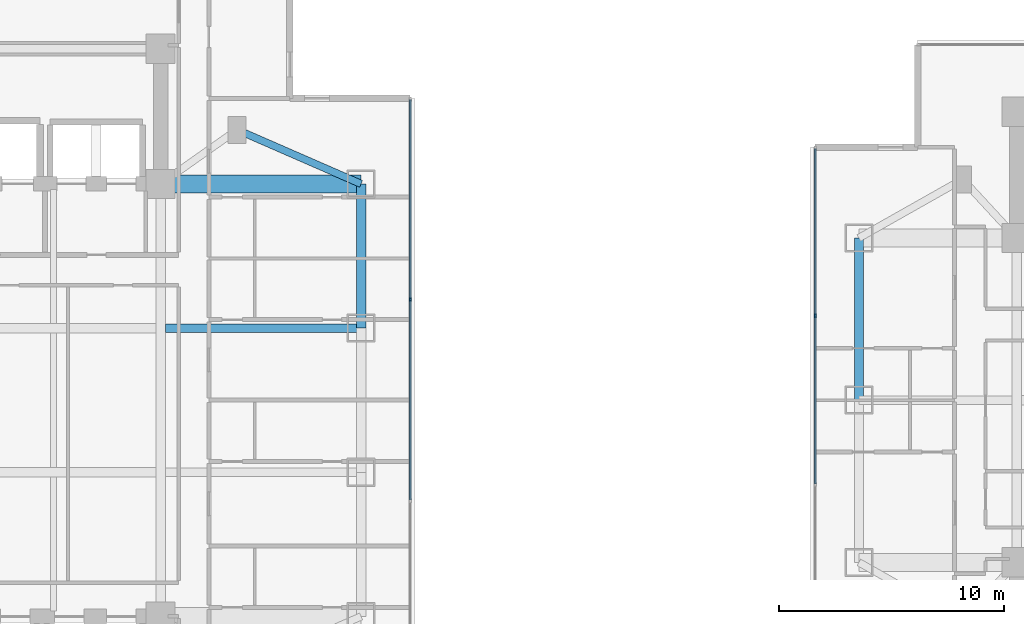
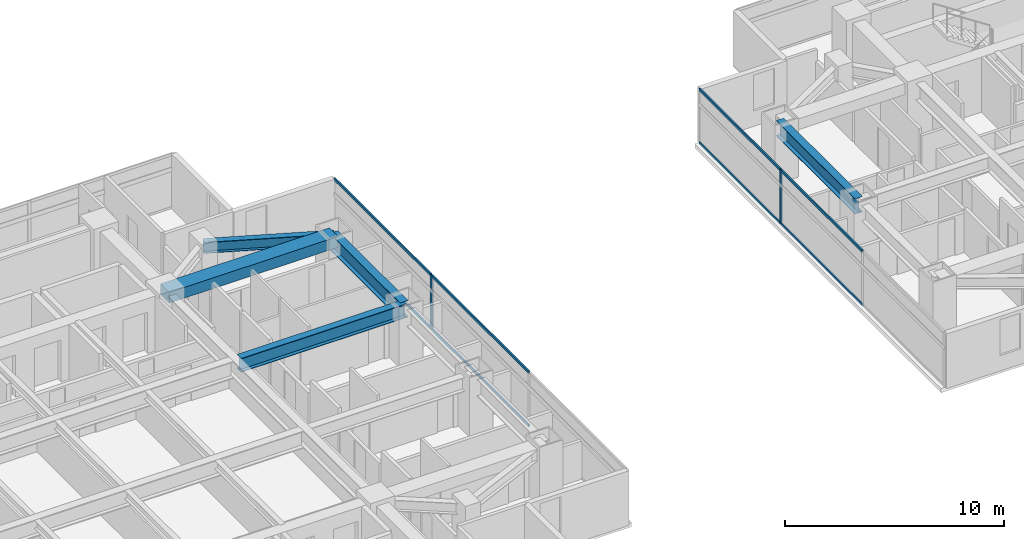
# One storey, part 6 of 27: 10 members, 5 beams, 2 elements without a shape of their own.
"""IFC4 building model written with IfcOpenShell, lengths in metres."""

from ifc_helpers import new_model, si_unit, direction, frame, origin, origin_2d, place, context, subcontext, project, spatial, rectangle, i_section, extrude, material, material_profile, profile_set, type_object, element, aggregate, save


model = new_model("IFC4")

# Units and contexts
model_context = context("Model", 3, precision=1e-05, world=origin(), true_north=direction((0.0, 1.0)))
body_context = subcontext(model_context, "Body", "Model", "MODEL_VIEW")
ifc_project = project(units=[si_unit("LENGTHUNIT", "METRE"), si_unit("AREAUNIT", "SQUARE_METRE"), si_unit("VOLUMEUNIT", "CUBIC_METRE"), si_unit("PLANEANGLEUNIT", "RADIAN"), si_unit("MASSUNIT", "GRAM", prefix="KILO")], contexts=[model_context])

# Site, building, storey
site_placement = place(None, origin())
site = spatial("IfcSite", under=ifc_project, at=site_placement, CompositionType="ELEMENT")
building_placement = place(site_placement, origin())
building = spatial("IfcBuilding", under=site, at=building_placement, Name="Mirazonda Arch Towers", CompositionType="ELEMENT")
storey_placement = place(building_placement, frame((0.0, 0.0, 52.10009765625)))
storey = spatial("IfcBuildingStorey", under=building, at=storey_placement, Name="L14", CompositionType="ELEMENT", Elevation=52.10009765625)

# Beams
ifc_material_1 = material(Name="Steel ASTM A992 Grade 50", Category="steel")
ifc_material_profile_1 = material_profile(ifc_material_1, i_section(OverallWidth=0.39990234375, OverallDepth=0.85595703125, WebThickness=0.018310546875, FlangeThickness=0.029296875, at=origin_2d()), Name="W33X201")
ifc_profile_set_1 = profile_set([ifc_material_profile_1], Name="Steel ASTM A992 Grade 50")
beam_type_1 = type_object("IfcBeamType", Name="BM-EXT-W33X201", PredefinedType="USERDEFINED", material=ifc_profile_set_1)
beam_1_placement = place(storey_placement, frame((61.0, 28.0, 2.6318359375), z_axis=(0.0, 1.0, 0.0), x_axis=(-1.0, 0.0, 0.0)))
element("IfcBeam", 1, at=beam_1_placement, inside=storey, type_object=beam_type_1, Name="L14 Floor Beam BM-T2-L14-NS-W-28", ObjectType="GIRDER", PredefinedType="USERDEFINED", context=body_context, shape_type="SweptSolid", body=[
    extrude(i_section(OverallWidth=0.39990234375, OverallDepth=0.85595703125, WebThickness=0.018310546875, FlangeThickness=0.029296875, at=origin_2d()), origin(), (0.0, 0.0, 1.0), 7.199951171875),
])
ifc_material_profile_2 = material_profile(ifc_material_1, i_section(OverallWidth=0.41796875, OverallDepth=0.927001953125, WebThickness=0.019287109375, FlangeThickness=0.031982421875, at=origin_2d()), Name="W36X231")
ifc_profile_set_2 = profile_set([ifc_material_profile_2], Name="Steel ASTM A992 Grade 50")
beam_type_2 = type_object("IfcBeamType", Name="BM-EXT-W36X231", PredefinedType="USERDEFINED", material=ifc_profile_set_2)
beam_2_placement = place(storey_placement, frame((38.89990234375, 31.199951171875, 2.596435546875), z_axis=(0.0, 1.0, 0.0), x_axis=(-1.0, 0.0, 0.0)))
element("IfcBeam", 2, at=beam_2_placement, inside=storey, type_object=beam_type_2, Name="L14 Floor Beam BM-T1-L14-NS-E-31", ObjectType="GIRDER", PredefinedType="USERDEFINED", context=body_context, shape_type="SweptSolid", body=[
    extrude(i_section(OverallWidth=0.41796875, OverallDepth=0.927001953125, WebThickness=0.019287109375, FlangeThickness=0.031982421875, at=origin_2d()), origin(), (0.0, 0.0, 1.0), 6.400146484375),
])
ifc_material_profile_3 = material_profile(ifc_material_1, i_section(OverallWidth=0.324951171875, OverallDepth=0.615966796875, WebThickness=0.013916015625, FlangeThickness=0.021484375, at=origin_2d()), Name="W24X117")
ifc_profile_set_3 = profile_set([ifc_material_profile_3], Name="Steel ASTM A992 Grade 50")
beam_type_3 = type_object("IfcBeamType", Name="BM-INT-W24X117", PredefinedType="BEAM", material=ifc_profile_set_3)
beam_3_placement = place(storey_placement, frame((33.39990234375, 40.0, 2.751953125), z_axis=(0.916545343703, -0.399930785183, 0.0), x_axis=(0.399930785183, 0.916545343703, 0.0)))
element("IfcBeam", 3, at=beam_3_placement, inside=storey, type_object=beam_type_3, Name="L14 Floor Beam BM-T1-L14-PL-NE2", PredefinedType="BEAM", context=body_context, shape_type="SweptSolid", body=[
    extrude(i_section(OverallWidth=0.324951171875, OverallDepth=0.615966796875, WebThickness=0.013916015625, FlangeThickness=0.021484375, at=origin_2d()), origin(), (0.0, 0.0, 1.0), 6.000732421875),
])
ifc_material_profile_4 = material_profile(ifc_material_1, i_section(OverallWidth=0.381103515625, OverallDepth=0.77294921875, WebThickness=0.0166015625, FlangeThickness=0.027099609375, at=origin_2d()), Name="W30X173")
ifc_profile_set_4 = profile_set([ifc_material_profile_4], Name="Steel ASTM A992 Grade 50")
beam_type_4 = type_object("IfcBeamType", Name="BM-INT-W30X173", PredefinedType="USERDEFINED", material=ifc_profile_set_4)
beam_4_placement = place(storey_placement, frame((30.21142578125, 31.199951171875, 2.67333984375), z_axis=(1.0, 0.0, 0.0), x_axis=(0.0, 1.0, 0.0)))
element("IfcBeam", 4, at=beam_4_placement, inside=storey, type_object=beam_type_4, Name="L14 Floor Beam BM-T1-L14-GE3", ObjectType="GIRDER", PredefinedType="USERDEFINED", context=body_context, shape_type="SweptSolid", body=[
    extrude(i_section(OverallWidth=0.381103515625, OverallDepth=0.77294921875, WebThickness=0.0166015625, FlangeThickness=0.027099609375, at=origin_2d()), origin(), (0.0, 0.0, 1.0), 8.6884765625),
])
ifc_material_2 = material(Name="Concrete C60/75", Category="concrete")
ifc_material_profile_5 = material_profile(ifc_material_2, rectangle(XDim=0.800048828125, YDim=0.60009765625, at=origin_2d()), Name="RCCB800x600")
ifc_profile_set_5 = profile_set([ifc_material_profile_5], Name="Concrete C60/75")
beam_type_5 = type_object("IfcBeamType", Name="CB-INT-RCCB800x600", PredefinedType="SPANDREL", material=ifc_profile_set_5)
beam_5_placement = place(storey_placement, frame((30.0, 37.60009765625, 2.760009765625), z_axis=(1.0, 0.0, 0.0), x_axis=(0.0, 1.0, 0.0)))
element("IfcBeam", 5, at=beam_5_placement, inside=storey, type_object=beam_type_5, Name="L14 Floor Beam CBC-T1-L14-NE", PredefinedType="SPANDREL", context=body_context, shape_type="SweptSolid", body=[
    extrude(rectangle(XDim=0.800048828125, YDim=0.60009765625, at=origin_2d()), origin(), (0.0, 0.0, 1.0), 8.89990234375),
])

# Curtain wall, member
ifc_material_3 = material(Name="Anodised Aluminium and Low-E Glass", Category="aluminium")
curtain_wall_type = type_object("IfcCurtainWallType", Name="CW-HTL-UNIT", PredefinedType="NOTDEFINED", material=ifc_material_3)
curtain_wall_1_placement = place(storey_placement, origin())
curtain_wall_1 = element("IfcCurtainWall", 6, at=curtain_wall_1_placement, inside=storey, type_object=curtain_wall_type, Name="L14 T1 E Facade CW-L14-T1-E", PredefinedType="NOTDEFINED")
ifc_material_4 = material(Name="Anodised Aluminium Alloy", Category="aluminium")
ifc_material_profile_6 = material_profile(ifc_material_4, rectangle(XDim=0.074951171875, YDim=0.1650390625, at=origin_2d()), Name="ALU-MULL-75x165")
ifc_profile_set_6 = profile_set([ifc_material_profile_6], Name="Anodised Aluminium Alloy")
member_type_1 = type_object("IfcMemberType", Name="MULL-CW-HTL-UNIT", PredefinedType="MULLION", material=ifc_profile_set_6)
member_1_placement = place(storey_placement, frame((41.080078125, 32.466552734375, 0.0), z_axis=(0.0, 0.0, 1.0), x_axis=(-1.0, 0.0, 0.0)))
member_1 = element("IfcMember", 7, at=member_1_placement, type_object=member_type_1, Name="CW-112 mullion 3", PredefinedType="MULLION", context=body_context, shape_type="SweptSolid", body=[
    extrude(rectangle(XDim=0.074951171875, YDim=0.1650390625, at=origin_2d()), origin(), (0.0, 0.0, 1.0), 3.039794921875),
])

curtain_wall_2_placement = place(storey_placement, origin())
curtain_wall_2 = element("IfcCurtainWall", 8, at=curtain_wall_2_placement, inside=storey, type_object=curtain_wall_type, Name="L14 T2 W Facade CW-L14-T2-W", PredefinedType="NOTDEFINED")
member_2_placement = place(storey_placement, frame((59.06005859375, 31.743408203125, 0.0), z_axis=(0.0, 0.0, 1.0), x_axis=(1.0, 0.0, 0.0)))
member_2 = element("IfcMember", 9, at=member_2_placement, type_object=member_type_1, Name="CW-112 mullion 2", PredefinedType="MULLION", context=body_context, shape_type="SweptSolid", body=[
    extrude(rectangle(XDim=0.074951171875, YDim=0.1650390625, at=origin_2d()), origin(), (0.0, 0.0, 1.0), 3.039794921875),
])

# Member
ifc_material_profile_7 = material_profile(ifc_material_4, rectangle(XDim=0.074951171875, YDim=0.14501953125, at=origin_2d()), Name="ALU-TRAN-75x145")
ifc_profile_set_7 = profile_set([ifc_material_profile_7], Name="Anodised Aluminium Alloy")
member_type_2 = type_object("IfcMemberType", Name="TRAN-CW-HTL-UNIT", PredefinedType="USERDEFINED", material=ifc_profile_set_7)
member_3_placement = place(storey_placement, frame((41.080078125, 23.57080078125, 0.037353515625), z_axis=(0.0, 1.0, 0.0), x_axis=(-1.0, 0.0, 0.0)))
member_3 = element("IfcMember", 10, at=member_3_placement, type_object=member_type_2, Name="CW-112 transom 2.1", ObjectType="TRANSOM", PredefinedType="USERDEFINED", context=body_context, shape_type="SweptSolid", body=[
    extrude(rectangle(XDim=0.074951171875, YDim=0.14501953125, at=origin_2d()), origin(), (0.0, 0.0, 1.0), 8.8583984375),
])

member_4_placement = place(storey_placement, frame((41.080078125, 23.57080078125, 3.00244140625), z_axis=(0.0, 1.0, 0.0), x_axis=(-1.0, 0.0, 0.0)))
member_4 = element("IfcMember", 11, at=member_4_placement, type_object=member_type_2, Name="CW-112 transom 2.2", ObjectType="TRANSOM", PredefinedType="USERDEFINED", context=body_context, shape_type="SweptSolid", body=[
    extrude(rectangle(XDim=0.074951171875, YDim=0.14501953125, at=origin_2d()), origin(), (0.0, 0.0, 1.0), 8.8583984375),
])

member_5_placement = place(storey_placement, frame((41.080078125, 32.504150390625, 0.037353515625), z_axis=(0.0, 1.0, 0.0), x_axis=(-1.0, 0.0, 0.0)))
member_5 = element("IfcMember", 12, at=member_5_placement, type_object=member_type_2, Name="CW-112 transom 3.1", ObjectType="TRANSOM", PredefinedType="USERDEFINED", context=body_context, shape_type="SweptSolid", body=[
    extrude(rectangle(XDim=0.074951171875, YDim=0.14501953125, at=origin_2d()), origin(), (0.0, 0.0, 1.0), 8.82080078125),
])

member_6_placement = place(storey_placement, frame((41.080078125, 32.504150390625, 3.00244140625), z_axis=(0.0, 1.0, 0.0), x_axis=(-1.0, 0.0, 0.0)))
member_6 = element("IfcMember", 13, at=member_6_placement, type_object=member_type_2, Name="CW-112 transom 3.2", ObjectType="TRANSOM", PredefinedType="USERDEFINED", context=body_context, shape_type="SweptSolid", body=[
    extrude(rectangle(XDim=0.074951171875, YDim=0.14501953125, at=origin_2d()), origin(), (0.0, 0.0, 1.0), 8.82080078125),
])

aggregate(curtain_wall_1, [member_1, member_3, member_4, member_5, member_6])

member_7_placement = place(storey_placement, frame((59.06005859375, 39.155029296875, 0.037353515625), z_axis=(0.0, -1.0, 0.0), x_axis=(1.0, 0.0, 0.0)))
member_7 = element("IfcMember", 14, at=member_7_placement, type_object=member_type_2, Name="CW-112 transom 1.1", ObjectType="TRANSOM", PredefinedType="USERDEFINED", context=body_context, shape_type="SweptSolid", body=[
    extrude(rectangle(XDim=0.074951171875, YDim=0.14501953125, at=origin_2d()), origin(), (0.0, 0.0, 1.0), 7.374267578125),
])

member_8_placement = place(storey_placement, frame((59.06005859375, 39.155029296875, 3.00244140625), z_axis=(0.0, -1.0, 0.0), x_axis=(1.0, 0.0, 0.0)))
member_8 = element("IfcMember", 15, at=member_8_placement, type_object=member_type_2, Name="CW-112 transom 1.2", ObjectType="TRANSOM", PredefinedType="USERDEFINED", context=body_context, shape_type="SweptSolid", body=[
    extrude(rectangle(XDim=0.074951171875, YDim=0.14501953125, at=origin_2d()), origin(), (0.0, 0.0, 1.0), 7.374267578125),
])

member_9_placement = place(storey_placement, frame((59.06005859375, 31.705810546875, 0.037353515625), z_axis=(0.0, -1.0, 0.0), x_axis=(1.0, 0.0, 0.0)))
member_9 = element("IfcMember", 16, at=member_9_placement, type_object=member_type_2, Name="CW-112 transom 2.1", ObjectType="TRANSOM", PredefinedType="USERDEFINED", context=body_context, shape_type="SweptSolid", body=[
    extrude(rectangle(XDim=0.074951171875, YDim=0.14501953125, at=origin_2d()), origin(), (0.0, 0.0, 1.0), 7.41162109375),
])

member_10_placement = place(storey_placement, frame((59.06005859375, 31.705810546875, 3.00244140625), z_axis=(0.0, -1.0, 0.0), x_axis=(1.0, 0.0, 0.0)))
member_10 = element("IfcMember", 17, at=member_10_placement, type_object=member_type_2, Name="CW-112 transom 2.2", ObjectType="TRANSOM", PredefinedType="USERDEFINED", context=body_context, shape_type="SweptSolid", body=[
    extrude(rectangle(XDim=0.074951171875, YDim=0.14501953125, at=origin_2d()), origin(), (0.0, 0.0, 1.0), 7.41162109375),
])

aggregate(curtain_wall_2, [member_2, member_7, member_8, member_9, member_10])

save(model, "model.ifc")
